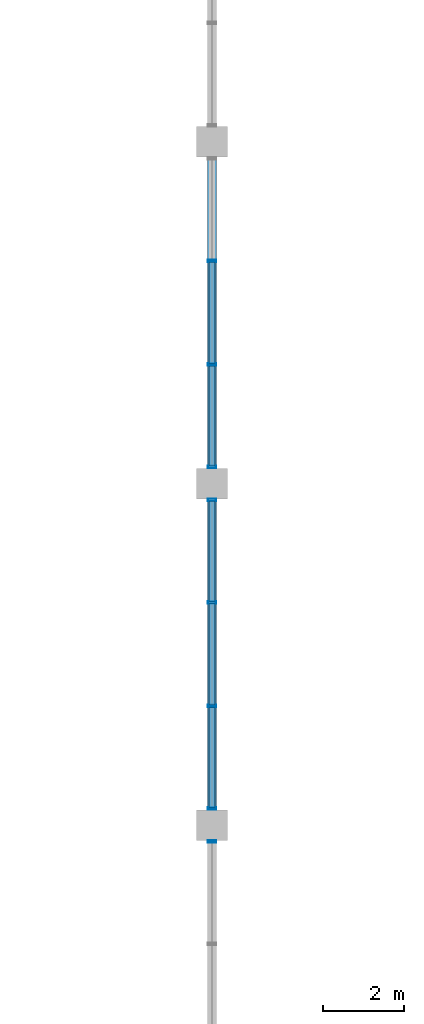
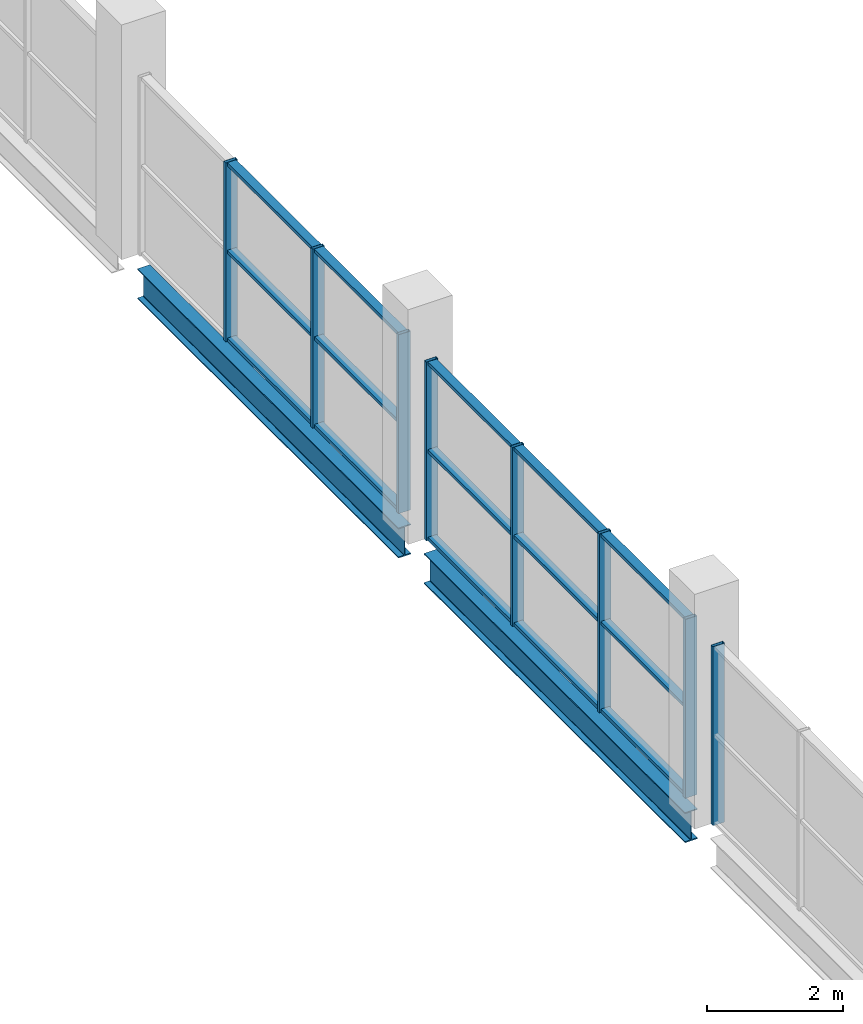
# One storey, part 19 of 68: 23 members, 2 beams, 3 elements without a shape of their own.
"""IFC4 building model written with IfcOpenShell, lengths in metres."""

from ifc_helpers import new_model, si_unit, direction, frame, origin, origin_2d, place, context, subcontext, project, spatial, hollow_rectangle, i_section, extrude, material, material_profile, profile_set, type_object, element, aggregate, save


model = new_model("IFC4")

# Units and contexts
model_context = context("Model", 3, precision=1e-05, world=origin(), true_north=direction((0.0, 1.0)))
body_context = subcontext(model_context, "Body", "Model", "MODEL_VIEW")
ifc_project = project(units=[si_unit("LENGTHUNIT", "METRE"), si_unit("AREAUNIT", "SQUARE_METRE"), si_unit("VOLUMEUNIT", "CUBIC_METRE"), si_unit("PLANEANGLEUNIT", "RADIAN"), si_unit("MASSUNIT", "GRAM", prefix="KILO"), si_unit("THERMODYNAMICTEMPERATUREUNIT", "KELVIN")], contexts=[model_context])

# Site, building, storey
site_placement = place(None, origin())
site = spatial("IfcSite", under=ifc_project, at=site_placement, CompositionType="ELEMENT")
building_placement = place(site_placement, origin())
building = spatial("IfcBuilding", under=site, at=building_placement, Name="Nduvali Passage Aquatics Centre", CompositionType="ELEMENT")
storey_placement = place(building_placement, frame((0.0, 0.0, 13.199951171875)))
storey = spatial("IfcBuildingStorey", under=building, at=storey_placement, Name="L03", CompositionType="ELEMENT", Elevation=13.199951171875)

# Curtain wall, member
ifc_material_1 = material(Name="Aluminium EN AW-6063 T6", Category="aluminium")
curtain_wall_type = type_object("IfcCurtainWallType", Name="ENV-CW-CLER", PredefinedType="NOTDEFINED", material=ifc_material_1)
curtain_wall_1_placement = place(storey_placement, origin())
curtain_wall_1 = element("IfcCurtainWall", 1, at=curtain_wall_1_placement, inside=storey, type_object=curtain_wall_type, Name="L03 West Pool Hall Upper Clerestory 007", PredefinedType="NOTDEFINED")
ifc_material_profile_1 = material_profile(ifc_material_1, hollow_rectangle(XDim=0.06005859375, YDim=0.199951171875, WallThickness=0.00390625, at=origin_2d()), Name="ALU MULLION 60x200x4")
ifc_profile_set_1 = profile_set([ifc_material_profile_1], Name="Aluminium EN AW-6063 T6")
member_type_1 = type_object("IfcMemberType", Name="ENV-MEM-MUL80", PredefinedType="MULLION", material=ifc_profile_set_1)
member_1_placement = place(storey_placement, frame((25.199951171875, 58.39501953125, 0.0), z_axis=(0.0, 0.0, 1.0), x_axis=(0.0, 1.0, 0.0)))
member_1 = element("IfcMember", 2, at=member_1_placement, type_object=member_type_1, Name="West Pool Hall Upper Clerestory Mullion 4", PredefinedType="MULLION", context=body_context, shape_type="SweptSolid", body=[
    extrude(hollow_rectangle(XDim=0.06005859375, YDim=0.199951171875, WallThickness=0.00390625, at=origin_2d()), origin(), (0.0, 0.0, 1.0), 3.199951171875),
])
aggregate(curtain_wall_1, [member_1])

# Curtain wall, members
curtain_wall_2_placement = place(storey_placement, origin())
curtain_wall_2 = element("IfcCurtainWall", 3, at=curtain_wall_2_placement, inside=storey, type_object=curtain_wall_type, Name="L03 West Pool Hall Upper Clerestory 008", PredefinedType="NOTDEFINED")
member_2_placement = place(storey_placement, frame((25.199951171875, 59.205078125, 0.0), z_axis=(0.0, 0.0, 1.0), x_axis=(0.0, 1.0, 0.0)))
member_2 = element("IfcMember", 4, at=member_2_placement, type_object=member_type_1, Name="West Pool Hall Upper Clerestory Mullion 1", PredefinedType="MULLION", context=body_context, shape_type="SweptSolid", body=[
    extrude(hollow_rectangle(XDim=0.06005859375, YDim=0.199951171875, WallThickness=0.00390625, at=origin_2d()), origin(), (0.0, 0.0, 1.0), 3.199951171875),
])
member_3_placement = place(storey_placement, frame((25.199951171875, 61.72509765625, 0.0), z_axis=(0.0, 0.0, 1.0), x_axis=(0.0, 1.0, 0.0)))
member_3 = element("IfcMember", 5, at=member_3_placement, type_object=member_type_1, Name="West Pool Hall Upper Clerestory Mullion 2", PredefinedType="MULLION", context=body_context, shape_type="SweptSolid", body=[
    extrude(hollow_rectangle(XDim=0.06005859375, YDim=0.199951171875, WallThickness=0.00390625, at=origin_2d()), origin(), (0.0, 0.0, 1.0), 3.199951171875),
])
member_4_placement = place(storey_placement, frame((25.199951171875, 64.27490234375, 0.0), z_axis=(0.0, 0.0, 1.0), x_axis=(0.0, 1.0, 0.0)))
member_4 = element("IfcMember", 6, at=member_4_placement, type_object=member_type_1, Name="West Pool Hall Upper Clerestory Mullion 3", PredefinedType="MULLION", context=body_context, shape_type="SweptSolid", body=[
    extrude(hollow_rectangle(XDim=0.06005859375, YDim=0.199951171875, WallThickness=0.00390625, at=origin_2d()), origin(), (0.0, 0.0, 1.0), 3.199951171875),
])
member_5_placement = place(storey_placement, frame((25.199951171875, 66.794921875, 0.0), z_axis=(0.0, 0.0, 1.0), x_axis=(0.0, 1.0, 0.0)))
member_5 = element("IfcMember", 7, at=member_5_placement, type_object=member_type_1, Name="West Pool Hall Upper Clerestory Mullion 4", PredefinedType="MULLION", context=body_context, shape_type="SweptSolid", body=[
    extrude(hollow_rectangle(XDim=0.06005859375, YDim=0.199951171875, WallThickness=0.00390625, at=origin_2d()), origin(), (0.0, 0.0, 1.0), 3.199951171875),
])

curtain_wall_3_placement = place(storey_placement, origin())
curtain_wall_3 = element("IfcCurtainWall", 8, at=curtain_wall_3_placement, inside=storey, type_object=curtain_wall_type, Name="L03 West Pool Hall Upper Clerestory 009", PredefinedType="NOTDEFINED")
member_6_placement = place(storey_placement, frame((25.199951171875, 67.60498046875, 0.0), z_axis=(0.0, 0.0, 1.0), x_axis=(0.0, 1.0, 0.0)))
member_6 = element("IfcMember", 9, at=member_6_placement, type_object=member_type_1, Name="West Pool Hall Upper Clerestory Mullion 1", PredefinedType="MULLION", context=body_context, shape_type="SweptSolid", body=[
    extrude(hollow_rectangle(XDim=0.06005859375, YDim=0.199951171875, WallThickness=0.00390625, at=origin_2d()), origin(), (0.0, 0.0, 1.0), 3.199951171875),
])
member_7_placement = place(storey_placement, frame((25.199951171875, 70.125, 0.0), z_axis=(0.0, 0.0, 1.0), x_axis=(0.0, 1.0, 0.0)))
member_7 = element("IfcMember", 10, at=member_7_placement, type_object=member_type_1, Name="West Pool Hall Upper Clerestory Mullion 2", PredefinedType="MULLION", context=body_context, shape_type="SweptSolid", body=[
    extrude(hollow_rectangle(XDim=0.06005859375, YDim=0.199951171875, WallThickness=0.00390625, at=origin_2d()), origin(), (0.0, 0.0, 1.0), 3.199951171875),
])
member_8_placement = place(storey_placement, frame((25.199951171875, 72.675048828125, 0.0), z_axis=(0.0, 0.0, 1.0), x_axis=(0.0, 1.0, 0.0)))
member_8 = element("IfcMember", 11, at=member_8_placement, type_object=member_type_1, Name="West Pool Hall Upper Clerestory Mullion 3", PredefinedType="MULLION", context=body_context, shape_type="SweptSolid", body=[
    extrude(hollow_rectangle(XDim=0.06005859375, YDim=0.199951171875, WallThickness=0.00390625, at=origin_2d()), origin(), (0.0, 0.0, 1.0), 3.199951171875),
])

# Member
ifc_material_profile_2 = material_profile(ifc_material_1, hollow_rectangle(XDim=0.14990234375, YDim=0.06005859375, WallThickness=0.00390625, at=origin_2d()), Name="ALU TRANSOM 150x60x4")
ifc_profile_set_2 = profile_set([ifc_material_profile_2], Name="Aluminium EN AW-6063 T6")
member_type_2 = type_object("IfcMemberType", Name="ENV-MEM-TRN80", PredefinedType="USERDEFINED", material=ifc_profile_set_2)
member_9_placement = place(storey_placement, frame((25.199951171875, 59.235107421875, 0.030029296875), z_axis=(0.0, 1.0, 0.0), x_axis=(-1.0, 0.0, 0.0)))
member_9 = element("IfcMember", 12, at=member_9_placement, type_object=member_type_2, Name="West Pool Hall Upper Clerestory Transom B1-R0", ObjectType="TRANSOM", PredefinedType="USERDEFINED", context=body_context, shape_type="SweptSolid", body=[
    extrude(hollow_rectangle(XDim=0.14990234375, YDim=0.06005859375, WallThickness=0.00390625, at=origin_2d()), origin(), (0.0, 0.0, 1.0), 2.4599609375),
])

member_10_placement = place(storey_placement, frame((25.199951171875, 59.235107421875, 1.60009765625), z_axis=(0.0, 1.0, 0.0), x_axis=(-1.0, 0.0, 0.0)))
member_10 = element("IfcMember", 13, at=member_10_placement, type_object=member_type_2, Name="West Pool Hall Upper Clerestory Transom B1-R1", ObjectType="TRANSOM", PredefinedType="USERDEFINED", context=body_context, shape_type="SweptSolid", body=[
    extrude(hollow_rectangle(XDim=0.14990234375, YDim=0.06005859375, WallThickness=0.00390625, at=origin_2d()), origin(), (0.0, 0.0, 1.0), 2.4599609375),
])

member_11_placement = place(storey_placement, frame((25.199951171875, 59.235107421875, 3.170166015625), z_axis=(0.0, 1.0, 0.0), x_axis=(-1.0, 0.0, 0.0)))
member_11 = element("IfcMember", 14, at=member_11_placement, type_object=member_type_2, Name="West Pool Hall Upper Clerestory Transom B1-R2", ObjectType="TRANSOM", PredefinedType="USERDEFINED", context=body_context, shape_type="SweptSolid", body=[
    extrude(hollow_rectangle(XDim=0.14990234375, YDim=0.06005859375, WallThickness=0.00390625, at=origin_2d()), origin(), (0.0, 0.0, 1.0), 2.4599609375),
])

member_12_placement = place(storey_placement, frame((25.199951171875, 61.7548828125, 0.030029296875), z_axis=(0.0, 1.0, 0.0), x_axis=(-1.0, 0.0, 0.0)))
member_12 = element("IfcMember", 15, at=member_12_placement, type_object=member_type_2, Name="West Pool Hall Upper Clerestory Transom B2-R0", ObjectType="TRANSOM", PredefinedType="USERDEFINED", context=body_context, shape_type="SweptSolid", body=[
    extrude(hollow_rectangle(XDim=0.14990234375, YDim=0.06005859375, WallThickness=0.00390625, at=origin_2d()), origin(), (0.0, 0.0, 1.0), 2.490234375),
])

member_13_placement = place(storey_placement, frame((25.199951171875, 61.7548828125, 1.60009765625), z_axis=(0.0, 1.0, 0.0), x_axis=(-1.0, 0.0, 0.0)))
member_13 = element("IfcMember", 16, at=member_13_placement, type_object=member_type_2, Name="West Pool Hall Upper Clerestory Transom B2-R1", ObjectType="TRANSOM", PredefinedType="USERDEFINED", context=body_context, shape_type="SweptSolid", body=[
    extrude(hollow_rectangle(XDim=0.14990234375, YDim=0.06005859375, WallThickness=0.00390625, at=origin_2d()), origin(), (0.0, 0.0, 1.0), 2.490234375),
])

member_14_placement = place(storey_placement, frame((25.199951171875, 61.7548828125, 3.170166015625), z_axis=(0.0, 1.0, 0.0), x_axis=(-1.0, 0.0, 0.0)))
member_14 = element("IfcMember", 17, at=member_14_placement, type_object=member_type_2, Name="West Pool Hall Upper Clerestory Transom B2-R2", ObjectType="TRANSOM", PredefinedType="USERDEFINED", context=body_context, shape_type="SweptSolid", body=[
    extrude(hollow_rectangle(XDim=0.14990234375, YDim=0.06005859375, WallThickness=0.00390625, at=origin_2d()), origin(), (0.0, 0.0, 1.0), 2.490234375),
])

member_15_placement = place(storey_placement, frame((25.199951171875, 64.304931640625, 0.030029296875), z_axis=(0.0, 1.0, 0.0), x_axis=(-1.0, 0.0, 0.0)))
member_15 = element("IfcMember", 18, at=member_15_placement, type_object=member_type_2, Name="West Pool Hall Upper Clerestory Transom B3-R0", ObjectType="TRANSOM", PredefinedType="USERDEFINED", context=body_context, shape_type="SweptSolid", body=[
    extrude(hollow_rectangle(XDim=0.14990234375, YDim=0.06005859375, WallThickness=0.00390625, at=origin_2d()), origin(), (0.0, 0.0, 1.0), 2.4599609375),
])

member_16_placement = place(storey_placement, frame((25.199951171875, 64.304931640625, 1.60009765625), z_axis=(0.0, 1.0, 0.0), x_axis=(-1.0, 0.0, 0.0)))
member_16 = element("IfcMember", 19, at=member_16_placement, type_object=member_type_2, Name="West Pool Hall Upper Clerestory Transom B3-R1", ObjectType="TRANSOM", PredefinedType="USERDEFINED", context=body_context, shape_type="SweptSolid", body=[
    extrude(hollow_rectangle(XDim=0.14990234375, YDim=0.06005859375, WallThickness=0.00390625, at=origin_2d()), origin(), (0.0, 0.0, 1.0), 2.4599609375),
])

member_17_placement = place(storey_placement, frame((25.199951171875, 64.304931640625, 3.170166015625), z_axis=(0.0, 1.0, 0.0), x_axis=(-1.0, 0.0, 0.0)))
member_17 = element("IfcMember", 20, at=member_17_placement, type_object=member_type_2, Name="West Pool Hall Upper Clerestory Transom B3-R2", ObjectType="TRANSOM", PredefinedType="USERDEFINED", context=body_context, shape_type="SweptSolid", body=[
    extrude(hollow_rectangle(XDim=0.14990234375, YDim=0.06005859375, WallThickness=0.00390625, at=origin_2d()), origin(), (0.0, 0.0, 1.0), 2.4599609375),
])

aggregate(curtain_wall_2, [member_2, member_3, member_4, member_5, member_9, member_10, member_11, member_12, member_13, member_14, member_15, member_16, member_17])

member_18_placement = place(storey_placement, frame((25.199951171875, 67.635009765625, 0.030029296875), z_axis=(0.0, 1.0, 0.0), x_axis=(-1.0, 0.0, 0.0)))
member_18 = element("IfcMember", 21, at=member_18_placement, type_object=member_type_2, Name="West Pool Hall Upper Clerestory Transom B1-R0", ObjectType="TRANSOM", PredefinedType="USERDEFINED", context=body_context, shape_type="SweptSolid", body=[
    extrude(hollow_rectangle(XDim=0.14990234375, YDim=0.06005859375, WallThickness=0.00390625, at=origin_2d()), origin(), (0.0, 0.0, 1.0), 2.4599609375),
])

member_19_placement = place(storey_placement, frame((25.199951171875, 67.635009765625, 1.60009765625), z_axis=(0.0, 1.0, 0.0), x_axis=(-1.0, 0.0, 0.0)))
member_19 = element("IfcMember", 22, at=member_19_placement, type_object=member_type_2, Name="West Pool Hall Upper Clerestory Transom B1-R1", ObjectType="TRANSOM", PredefinedType="USERDEFINED", context=body_context, shape_type="SweptSolid", body=[
    extrude(hollow_rectangle(XDim=0.14990234375, YDim=0.06005859375, WallThickness=0.00390625, at=origin_2d()), origin(), (0.0, 0.0, 1.0), 2.4599609375),
])

member_20_placement = place(storey_placement, frame((25.199951171875, 67.635009765625, 3.170166015625), z_axis=(0.0, 1.0, 0.0), x_axis=(-1.0, 0.0, 0.0)))
member_20 = element("IfcMember", 23, at=member_20_placement, type_object=member_type_2, Name="West Pool Hall Upper Clerestory Transom B1-R2", ObjectType="TRANSOM", PredefinedType="USERDEFINED", context=body_context, shape_type="SweptSolid", body=[
    extrude(hollow_rectangle(XDim=0.14990234375, YDim=0.06005859375, WallThickness=0.00390625, at=origin_2d()), origin(), (0.0, 0.0, 1.0), 2.4599609375),
])

member_21_placement = place(storey_placement, frame((25.199951171875, 70.155029296875, 0.030029296875), z_axis=(0.0, 1.0, 0.0), x_axis=(-1.0, 0.0, 0.0)))
member_21 = element("IfcMember", 24, at=member_21_placement, type_object=member_type_2, Name="West Pool Hall Upper Clerestory Transom B2-R0", ObjectType="TRANSOM", PredefinedType="USERDEFINED", context=body_context, shape_type="SweptSolid", body=[
    extrude(hollow_rectangle(XDim=0.14990234375, YDim=0.06005859375, WallThickness=0.00390625, at=origin_2d()), origin(), (0.0, 0.0, 1.0), 2.489990234375),
])

member_22_placement = place(storey_placement, frame((25.199951171875, 70.155029296875, 1.60009765625), z_axis=(0.0, 1.0, 0.0), x_axis=(-1.0, 0.0, 0.0)))
member_22 = element("IfcMember", 25, at=member_22_placement, type_object=member_type_2, Name="West Pool Hall Upper Clerestory Transom B2-R1", ObjectType="TRANSOM", PredefinedType="USERDEFINED", context=body_context, shape_type="SweptSolid", body=[
    extrude(hollow_rectangle(XDim=0.14990234375, YDim=0.06005859375, WallThickness=0.00390625, at=origin_2d()), origin(), (0.0, 0.0, 1.0), 2.489990234375),
])

member_23_placement = place(storey_placement, frame((25.199951171875, 70.155029296875, 3.170166015625), z_axis=(0.0, 1.0, 0.0), x_axis=(-1.0, 0.0, 0.0)))
member_23 = element("IfcMember", 26, at=member_23_placement, type_object=member_type_2, Name="West Pool Hall Upper Clerestory Transom B2-R2", ObjectType="TRANSOM", PredefinedType="USERDEFINED", context=body_context, shape_type="SweptSolid", body=[
    extrude(hollow_rectangle(XDim=0.14990234375, YDim=0.06005859375, WallThickness=0.00390625, at=origin_2d()), origin(), (0.0, 0.0, 1.0), 2.489990234375),
])

aggregate(curtain_wall_3, [member_6, member_7, member_8, member_18, member_19, member_20, member_21, member_22, member_23])

# Beams
ifc_material_2 = material(Name="Steel S355", Category="steel")
ifc_material_profile_3 = material_profile(ifc_material_2, i_section(OverallWidth=0.210693359375, OverallDepth=0.53955078125, WebThickness=0.01171875, FlangeThickness=0.018798828125, FilletRadius=0.0126953125, at=origin_2d()), Name="UKB 533x210x109")
ifc_profile_set_3 = profile_set([ifc_material_profile_3], Name="Steel S355")
beam_type = type_object("IfcBeamType", Name="STR-BM-UKB533-EXT", PredefinedType="BEAM", material=ifc_profile_set_3)
beam_1_placement = place(storey_placement, frame((25.199951171875, 59.175048828125, -0.523681640625), z_axis=(0.0, 1.0, 0.0), x_axis=(-1.0, 0.0, 0.0)))
element("IfcBeam", 27, at=beam_1_placement, inside=storey, type_object=beam_type, Name="L03 Primary Y-Girder B6E-1253", PredefinedType="BEAM", context=body_context, shape_type="SweptSolid", body=[
    extrude(i_section(OverallWidth=0.210693359375, OverallDepth=0.53955078125, WebThickness=0.01171875, FlangeThickness=0.018798828125, FilletRadius=0.0126953125, at=origin_2d()), origin(), (0.0, 0.0, 1.0), 7.64990234375),
])
beam_2_placement = place(storey_placement, frame((25.199951171875, 67.574951171875, -0.523681640625), z_axis=(0.0, 1.0, 0.0), x_axis=(-1.0, 0.0, 0.0)))
element("IfcBeam", 28, at=beam_2_placement, inside=storey, type_object=beam_type, Name="L03 Primary Y-Girder B6E-1254", PredefinedType="BEAM", context=body_context, shape_type="SweptSolid", body=[
    extrude(i_section(OverallWidth=0.210693359375, OverallDepth=0.53955078125, WebThickness=0.01171875, FlangeThickness=0.018798828125, FilletRadius=0.0126953125, at=origin_2d()), origin(), (0.0, 0.0, 1.0), 7.650146484375),
])

save(model, "model.ifc")
